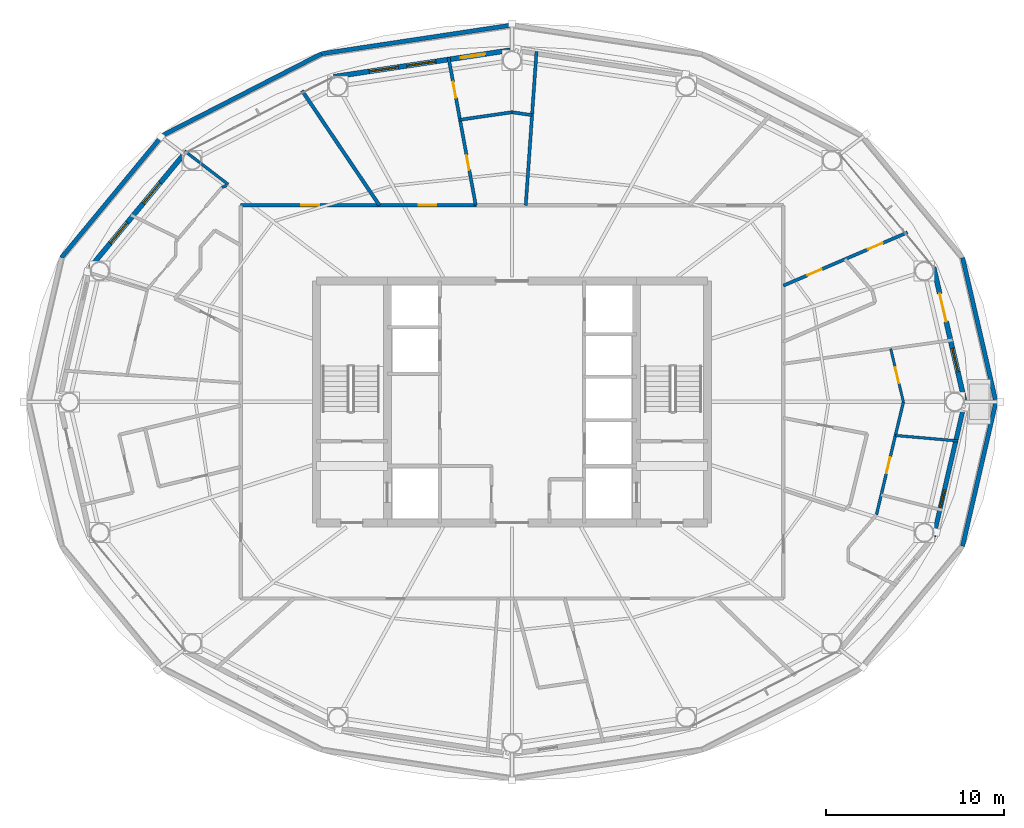
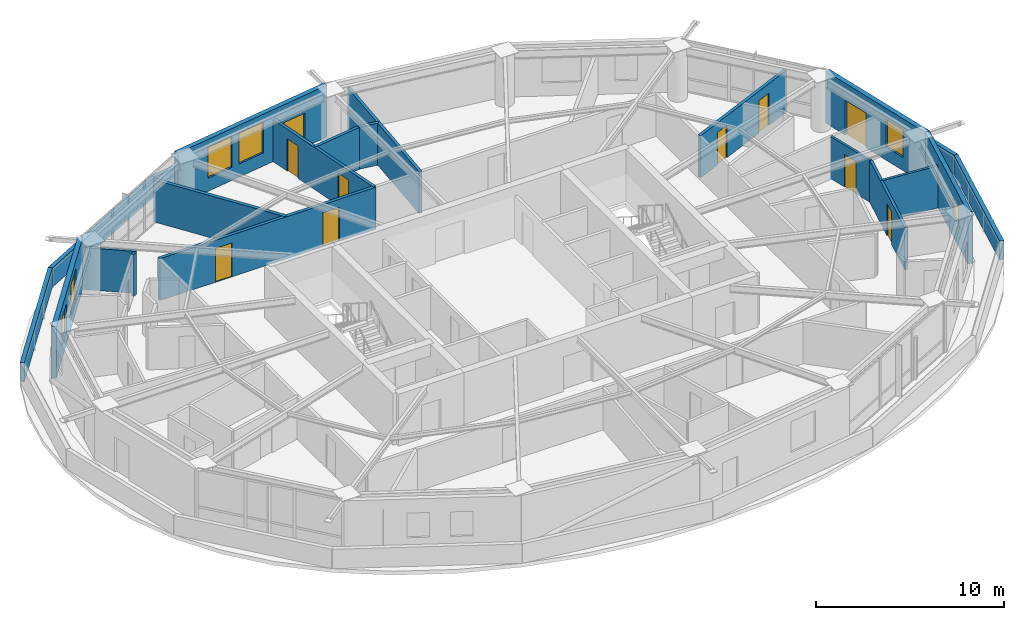
# One storey, part 18 of 22: 21 walls, 10 doors, 6 windows, 16 openings.
"""IFC4 building model written with IfcOpenShell, lengths in metres."""

from ifc_helpers import new_model, si_unit, direction, frame, frame_2d, origin, place, context, subcontext, project, spatial, rectangle, extrude, material, layer, layer_set, type_object, element, fill, save


model = new_model("IFC4")

# Units and contexts
model_context = context("Model", 3, precision=1e-05, world=origin(), true_north=direction((0.0, 1.0)))
body_context = subcontext(model_context, "Body", "Model", "MODEL_VIEW")
ifc_project = project(units=[si_unit("LENGTHUNIT", "METRE"), si_unit("AREAUNIT", "SQUARE_METRE"), si_unit("VOLUMEUNIT", "CUBIC_METRE"), si_unit("PLANEANGLEUNIT", "RADIAN"), si_unit("MASSUNIT", "GRAM", prefix="KILO")], contexts=[model_context])

# Site, building, storey
site_placement = place(None, origin())
site = spatial("IfcSite", under=ifc_project, at=site_placement, CompositionType="ELEMENT")
building_placement = place(site_placement, origin())
building = spatial("IfcBuilding", under=site, at=building_placement, Name="Sarneth Arch Tower", CompositionType="ELEMENT")
storey_placement = place(building_placement, frame((0.0, 0.0, 206.39990234375)))
storey = spatial("IfcBuildingStorey", under=building, at=storey_placement, Name="L52", CompositionType="ELEMENT", Elevation=206.39990234375)

# Wall, openings, doors
ifc_material_1 = material(Name="Double steel-stud corridor fire wall", Category="steel")
ifc_layer_1 = layer(ifc_material_1, 0.18994140625)
ifc_layer_set_1 = layer_set([ifc_layer_1], Name="Double steel-stud corridor fire wall")
wall_type_1 = type_object("IfcWallType", Name="WALL-CORR-190", PredefinedType="PARTITIONING", material=ifc_layer_set_1)
wall_1_placement = place(storey_placement, frame((32.75, 53.050048828125, 0.0), z_axis=(0.0, 0.0, 1.0), x_axis=(1.0, 0.0, 0.0)))
wall_1 = element("IfcWall", 1, at=wall_1_placement, inside=storey, type_object=wall_type_1, Name="L52 Interior partition W-L52-TP-010", PredefinedType="PARTITIONING", context=body_context, shape_type="SweptSolid", body=[
    extrude(rectangle(XDim=13.24658203125, YDim=0.18994140625, at=frame_2d((6.623291015625, 0.0))), origin(), (0.0, 0.0, 1.0), 2.72021484375),
])
opening_1_placement = place(wall_1_placement, frame((3.41748046875, 0.0, 0.0)))
opening_1 = element("IfcOpeningElement", 2, at=opening_1_placement, cuts=wall_1, Name="Opening FD-08", PredefinedType="OPENING", context=body_context, shape_type="SweptSolid", body=[
    extrude(rectangle(XDim=1.0, YDim=2.199951171875, at=frame_2d((0.5, 1.10009765625))), frame((0.0, 0.10498046875, 0.0), z_axis=(0.0, -1.0, 0.0), x_axis=(1.0, 0.0, 0.0)), (0.0, 0.0, 1.0), 0.2099609375),
])
opening_2_placement = place(wall_1_placement, frame((10.002197265625, 0.0, 0.0)))
opening_2 = element("IfcOpeningElement", 3, at=opening_2_placement, cuts=wall_1, Name="Opening FD-08", PredefinedType="OPENING", context=body_context, shape_type="SweptSolid", body=[
    extrude(rectangle(XDim=1.0, YDim=2.199951171875, at=frame_2d((0.5, 1.10009765625))), frame((0.0, 0.10498046875, 0.0), z_axis=(0.0, -1.0, 0.0), x_axis=(1.0, 0.0, 0.0)), (0.0, 0.0, 1.0), 0.2099609375),
])
ifc_material_2 = material(Name="Hardwood timber acoustic fire door", Category="wood")
door_type_1 = type_object("IfcDoorType", Name="DR-FD60-1000", OperationType="SINGLE_SWING_LEFT", PredefinedType="DOOR", material=ifc_material_2)
door_1_placement = place(opening_1_placement, origin())
door_1 = element("IfcDoor", 4, at=door_1_placement, inside=storey, type_object=door_type_1, Name="L52 Interior door DR-L52-U4-ENT", OperationType="SINGLE_SWING_RIGHT", OverallHeight=2.199951171875, OverallWidth=1.0, PredefinedType="DOOR", context=body_context, shape_type="SweptSolid", body=[
    extrude(rectangle(XDim=1.0, YDim=2.199951171875, at=frame_2d((0.5, 1.10009765625))), frame((0.0, 0.02490234375, 0.0), z_axis=(0.0, -1.0, 0.0), x_axis=(1.0, 0.0, 0.0)), (0.0, 0.0, 1.0), 0.050048828125),
])
fill(opening_1, door_1)
door_2_placement = place(opening_2_placement, origin())
door_2 = element("IfcDoor", 5, at=door_2_placement, inside=storey, type_object=door_type_1, Name="L52 Interior door DR-L52-U3-ENT", OperationType="SINGLE_SWING_RIGHT", OverallHeight=2.199951171875, OverallWidth=1.0, PredefinedType="DOOR", context=body_context, shape_type="SweptSolid", body=[
    extrude(rectangle(XDim=1.0, YDim=2.199951171875, at=frame_2d((0.5, 1.10009765625))), frame((0.0, 0.02490234375, 0.0), z_axis=(0.0, -1.0, 0.0), x_axis=(1.0, 0.0, 0.0)), (0.0, 0.0, 1.0), 0.050048828125),
])
fill(opening_2, door_2)

# Wall, opening, window
ifc_material_3 = material(Name="Extruded terracotta rainscreen on Concrete C40/50 backing", Category="masonry")
ifc_layer_2 = layer(ifc_material_3, 0.25)
ifc_layer_set_2 = layer_set([ifc_layer_2], Name="Extruded terracotta rainscreen on Concrete C40/50 backing")
wall_type_2 = type_object("IfcWallType", Name="WALL-EXT-SPAND-250", PredefinedType="SOLIDWALL", material=ifc_layer_set_2)
wall_2_placement = place(storey_placement, frame((71.69384765625, 34.430419921875, 0.0), z_axis=(0.0, 0.0, 1.0), x_axis=(0.225635078214, 0.974211892495, 0.0)))
wall_2 = element("IfcWall", 6, at=wall_2_placement, inside=storey, type_object=wall_type_2, Name="L52 Terracotta perimeter wall 16", PredefinedType="SOLIDWALL", context=body_context, shape_type="SweptSolid", body=[
    extrude(rectangle(XDim=7.77001953125, YDim=0.25, at=frame_2d((3.885009765625, 0.0))), origin(), (0.0, 0.0, 1.0), 3.360107421875),
])
opening_3_placement = place(wall_2_placement, frame((1.6953125, 0.0, 1.419921875)))
opening_3 = element("IfcOpeningElement", 7, at=opening_3_placement, cuts=wall_2, Name="Opening W-14", PredefinedType="OPENING", context=body_context, shape_type="SweptSolid", body=[
    extrude(rectangle(XDim=1.0, YDim=1.050048828125, at=frame_2d((0.5, 0.52490234375))), frame((0.0, 0.135009765625, 0.0), z_axis=(0.0, -1.0, 0.0), x_axis=(1.0, 0.0, 0.0)), (0.0, 0.0, 1.0), 0.27001953125),
])
ifc_material_4 = material(Name="Thermally broken Aluminium 6063-T6 and low-e laminated IGU", Category="aluminium")
window_type_1 = type_object("IfcWindowType", Name="WIN-TWR-1000x1050", PartitioningType="SINGLE_PANEL", PredefinedType="WINDOW", material=ifc_material_4)
window_1_placement = place(opening_3_placement, origin())
window_1 = element("IfcWindow", 8, at=window_1_placement, inside=storey, type_object=window_type_1, Name="L52 Dwelling bedroom window 02", OverallHeight=1.050048828125, OverallWidth=1.0, PartitioningType="SINGLE_PANEL", PredefinedType="WINDOW", context=body_context, shape_type="SweptSolid", body=[
    extrude(rectangle(XDim=1.0, YDim=1.050048828125, at=frame_2d((0.5, 0.52490234375))), frame((0.0, 0.030029296875, 0.0), z_axis=(0.0, -1.0, 0.0), x_axis=(1.0, 0.0, 0.0)), (0.0, 0.0, 1.0), 0.06005859375),
])
fill(opening_3, window_1)

# Wall, openings, door, window
ifc_material_5 = material(Name="Extruded terracotta rainscreen on Concrete C40/50 backing", Category="masonry")
ifc_layer_3 = layer(ifc_material_5, 0.280029296875)
ifc_layer_set_3 = layer_set([ifc_layer_3], Name="Extruded terracotta rainscreen on Concrete C40/50 backing")
wall_type_3 = type_object("IfcWallType", Name="WALL-EXT-TERRA-280", PredefinedType="SOLIDWALL", material=ifc_layer_set_3)
wall_3_placement = place(storey_placement, frame((73.447021484375, 42.0, 0.0), z_axis=(0.0, 0.0, 1.0), x_axis=(-0.225635078214, 0.974211892495, 0.0)))
wall_3 = element("IfcWall", 9, at=wall_3_placement, inside=storey, type_object=wall_type_3, Name="L52 Terracotta perimeter wall 01", PredefinedType="SOLIDWALL", context=body_context, shape_type="SweptSolid", body=[
    extrude(rectangle(XDim=7.77001953125, YDim=0.280029296875, at=frame_2d((3.885009765625, 0.0))), origin(), (0.0, 0.0, 1.0), 3.360107421875),
])
opening_4_placement = place(wall_3_placement, frame((1.736083984375, 0.0, 0.85009765625)))
opening_4 = element("IfcOpeningElement", 10, at=opening_4_placement, cuts=wall_3, Name="Opening W-08", PredefinedType="OPENING", context=body_context, shape_type="SweptSolid", body=[
    extrude(rectangle(XDim=1.35009765625, YDim=1.800048828125, at=frame_2d((0.675048828125, 0.89990234375))), frame((0.0, 0.14990234375, 0.0), z_axis=(0.0, -1.0, 0.0), x_axis=(1.0, 0.0, 0.0)), (0.0, 0.0, 1.0), 0.300048828125),
])
opening_5_placement = place(wall_3_placement, frame((4.64208984375, 0.0, 0.0)))
opening_5 = element("IfcOpeningElement", 11, at=opening_5_placement, cuts=wall_3, Name="Opening BD-1", PredefinedType="OPENING", context=body_context, shape_type="SweptSolid", body=[
    extrude(rectangle(XDim=1.60009765625, YDim=2.25, at=frame_2d((0.800048828125, 1.125))), frame((0.0, 0.14990234375, 0.0), z_axis=(0.0, -1.0, 0.0), x_axis=(1.0, 0.0, 0.0)), (0.0, 0.0, 1.0), 0.300048828125),
])
ifc_material_6 = material(Name="Thermally broken Aluminium 6063-T6 and laminated safety glass", Category="aluminium")
door_type_2 = type_object("IfcDoorType", Name="DR-BALC-GLZ-1600", OperationType="DOUBLE_DOOR_SINGLE_SWING", PredefinedType="DOOR", material=ifc_material_6)
door_3_placement = place(opening_5_placement, origin())
door_3 = element("IfcDoor", 12, at=door_3_placement, inside=storey, type_object=door_type_2, Name="L52 Maintenance roof access door 01", OperationType="DOUBLE_DOOR_SINGLE_SWING", OverallHeight=2.25, OverallWidth=1.60009765625, PredefinedType="DOOR", context=body_context, shape_type="SweptSolid", body=[
    extrude(rectangle(XDim=1.60009765625, YDim=2.25, at=frame_2d((0.800048828125, 1.125))), frame((0.0, 0.02490234375, 0.0), z_axis=(0.0, -1.0, 0.0), x_axis=(1.0, 0.0, 0.0)), (0.0, 0.0, 1.0), 0.050048828125),
])
fill(opening_5, door_3)
ifc_material_7 = material(Name="Thermally broken Aluminium 6063-T6 and low-e laminated IGU", Category="aluminium")
window_type_2 = type_object("IfcWindowType", Name="WIN-TWR-1350x1800", PartitioningType="SINGLE_PANEL", PredefinedType="WINDOW", material=ifc_material_7)
window_2_placement = place(opening_4_placement, origin())
window_2 = element("IfcWindow", 13, at=window_2_placement, inside=storey, type_object=window_type_2, Name="L52 Exterior window 01A", OverallHeight=1.800048828125, OverallWidth=1.35009765625, PartitioningType="SINGLE_PANEL", PredefinedType="WINDOW", context=body_context, shape_type="SweptSolid", body=[
    extrude(rectangle(XDim=1.35009765625, YDim=1.800048828125, at=frame_2d((0.675048828125, 0.89990234375))), frame((0.0, 0.030029296875, 0.0), z_axis=(0.0, -1.0, 0.0), x_axis=(1.0, 0.0, 0.0)), (0.0, 0.0, 1.0), 0.06005859375),
])
fill(opening_4, window_2)

# Wall, openings, door, windows
wall_4_placement = place(storey_placement, frame((48.0, 61.780029296875, 0.0), z_axis=(0.0, 0.0, 1.0), x_axis=(-0.988882522213, -0.148698881169, 0.0)))
wall_4 = element("IfcWall", 14, at=wall_4_placement, inside=storey, type_object=wall_type_3, Name="L52 Terracotta perimeter wall 05", PredefinedType="SOLIDWALL", context=body_context, shape_type="SweptSolid", body=[
    extrude(rectangle(XDim=10.125244140625, YDim=0.280029296875, at=frame_2d((5.0625, 0.0))), origin(), (0.0, 0.0, 1.0), 3.360107421875),
])
opening_6_placement = place(wall_4_placement, frame((1.51611328125, 0.0, 0.0)))
opening_6 = element("IfcOpeningElement", 15, at=opening_6_placement, cuts=wall_4, Name="Opening BD-2", PredefinedType="OPENING", context=body_context, shape_type="SweptSolid", body=[
    extrude(rectangle(XDim=1.39990234375, YDim=2.199951171875, at=frame_2d((0.699951171875, 1.10009765625))), frame((0.0, 0.14990234375, 0.0), z_axis=(0.0, -1.0, 0.0), x_axis=(1.0, 0.0, 0.0)), (0.0, 0.0, 1.0), 0.300048828125),
])
opening_7_placement = place(wall_4_placement, frame((4.322021484375, 0.0, 0.85009765625)))
opening_7 = element("IfcOpeningElement", 16, at=opening_7_placement, cuts=wall_4, Name="Opening W-05", PredefinedType="OPENING", context=body_context, shape_type="SweptSolid", body=[
    extrude(rectangle(XDim=1.64990234375, YDim=2.0, at=frame_2d((0.824951171875, 1.0))), frame((0.0, 0.14990234375, 0.0), z_axis=(0.0, -1.0, 0.0), x_axis=(1.0, 0.0, 0.0)), (0.0, 0.0, 1.0), 0.300048828125),
])
opening_8_placement = place(wall_4_placement, frame((6.453857421875, 0.0, 0.85009765625)))
opening_8 = element("IfcOpeningElement", 17, at=opening_8_placement, cuts=wall_4, Name="Opening W-05", PredefinedType="OPENING", context=body_context, shape_type="SweptSolid", body=[
    extrude(rectangle(XDim=1.64990234375, YDim=2.0, at=frame_2d((0.824951171875, 1.0))), frame((0.0, 0.14990234375, 0.0), z_axis=(0.0, -1.0, 0.0), x_axis=(1.0, 0.0, 0.0)), (0.0, 0.0, 1.0), 0.300048828125),
])
ifc_material_8 = material(Name="Thermally broken Aluminium 6063-T6 and laminated safety glass", Category="aluminium")
door_type_3 = type_object("IfcDoorType", Name="DR-BALC-GLZ-1400", OperationType="SINGLE_SWING_LEFT", PredefinedType="DOOR", material=ifc_material_8)
door_4_placement = place(opening_6_placement, origin())
door_4 = element("IfcDoor", 18, at=door_4_placement, inside=storey, type_object=door_type_3, Name="L52 Maintenance roof access door 05", OperationType="SINGLE_SWING_LEFT", OverallHeight=2.199951171875, OverallWidth=1.39990234375, PredefinedType="DOOR", context=body_context, shape_type="SweptSolid", body=[
    extrude(rectangle(XDim=1.39990234375, YDim=2.199951171875, at=frame_2d((0.699951171875, 1.10009765625))), frame((0.0, 0.02490234375, 0.0), z_axis=(0.0, -1.0, 0.0), x_axis=(1.0, 0.0, 0.0)), (0.0, 0.0, 1.0), 0.050048828125),
])
fill(opening_6, door_4)
ifc_material_9 = material(Name="Thermally broken Aluminium 6063-T6 and low-e laminated IGU", Category="aluminium")
window_type_3 = type_object("IfcWindowType", Name="WIN-TWR-1650x2000", PartitioningType="DOUBLE_PANEL_VERTICAL", PredefinedType="WINDOW", material=ifc_material_9)
window_3_placement = place(opening_7_placement, origin())
window_3 = element("IfcWindow", 19, at=window_3_placement, inside=storey, type_object=window_type_3, Name="L52 Exterior window 05A", OverallHeight=2.0, OverallWidth=1.64990234375, PartitioningType="SINGLE_PANEL", PredefinedType="WINDOW", context=body_context, shape_type="SweptSolid", body=[
    extrude(rectangle(XDim=1.64990234375, YDim=2.0, at=frame_2d((0.824951171875, 1.0))), frame((0.0, 0.030029296875, 0.0), z_axis=(0.0, -1.0, 0.0), x_axis=(1.0, 0.0, 0.0)), (0.0, 0.0, 1.0), 0.06005859375),
])
fill(opening_7, window_3)
window_4_placement = place(opening_8_placement, origin())
window_4 = element("IfcWindow", 20, at=window_4_placement, inside=storey, type_object=window_type_3, Name="L52 Exterior window 05B", OverallHeight=2.0, OverallWidth=1.64990234375, PartitioningType="SINGLE_PANEL", PredefinedType="WINDOW", context=body_context, shape_type="SweptSolid", body=[
    extrude(rectangle(XDim=1.64990234375, YDim=2.0, at=frame_2d((0.824951171875, 1.0))), frame((0.0, 0.030029296875, 0.0), z_axis=(0.0, -1.0, 0.0), x_axis=(1.0, 0.0, 0.0)), (0.0, 0.0, 1.0), 0.06005859375),
])
fill(opening_8, window_4)

# Wall, openings, windows
wall_5_placement = place(storey_placement, frame((29.617431640625, 55.986572265625, 0.0), z_axis=(0.0, 0.0, 1.0), x_axis=(-0.63761509934, -0.770355103243, 0.0)))
wall_5 = element("IfcWall", 21, at=wall_5_placement, inside=storey, type_object=wall_type_3, Name="L52 Terracotta perimeter wall 07", PredefinedType="SOLIDWALL", context=body_context, shape_type="SweptSolid", body=[
    extrude(rectangle(XDim=8.329833984375, YDim=0.280029296875, at=frame_2d((4.1650390625, 0.0))), origin(), (0.0, 0.0, 1.0), 3.360107421875),
])
opening_9_placement = place(wall_5_placement, frame((2.16162109375, 0.0, 0.85009765625)))
opening_9 = element("IfcOpeningElement", 22, at=opening_9_placement, cuts=wall_5, Name="Opening W-06", PredefinedType="OPENING", context=body_context, shape_type="SweptSolid", body=[
    extrude(rectangle(XDim=1.5, YDim=2.0, at=frame_2d((0.75, 1.0))), frame((0.0, 0.14990234375, 0.0), z_axis=(0.0, -1.0, 0.0), x_axis=(1.0, 0.0, 0.0)), (0.0, 0.0, 1.0), 0.300048828125),
])
opening_10_placement = place(wall_5_placement, frame((5.06640625, 0.0, 0.85009765625)))
opening_10 = element("IfcOpeningElement", 23, at=opening_10_placement, cuts=wall_5, Name="Opening W-07", PredefinedType="OPENING", context=body_context, shape_type="SweptSolid", body=[
    extrude(rectangle(XDim=1.5, YDim=1.800048828125, at=frame_2d((0.75, 0.89990234375))), frame((0.0, 0.14990234375, 0.0), z_axis=(0.0, -1.0, 0.0), x_axis=(1.0, 0.0, 0.0)), (0.0, 0.0, 1.0), 0.300048828125),
])
ifc_material_10 = material(Name="Thermally broken Aluminium 6063-T6 and low-e laminated IGU", Category="aluminium")
window_type_4 = type_object("IfcWindowType", Name="WIN-TWR-1500x1800", PartitioningType="SINGLE_PANEL", PredefinedType="WINDOW", material=ifc_material_10)
window_5_placement = place(opening_10_placement, origin())
window_5 = element("IfcWindow", 24, at=window_5_placement, inside=storey, type_object=window_type_4, Name="L52 Exterior window 07B", OverallHeight=1.800048828125, OverallWidth=1.5, PartitioningType="SINGLE_PANEL", PredefinedType="WINDOW", context=body_context, shape_type="SweptSolid", body=[
    extrude(rectangle(XDim=1.5, YDim=1.800048828125, at=frame_2d((0.75, 0.89990234375))), frame((0.0, 0.030029296875, 0.0), z_axis=(0.0, -1.0, 0.0), x_axis=(1.0, 0.0, 0.0)), (0.0, 0.0, 1.0), 0.06005859375),
])
fill(opening_10, window_5)
ifc_material_11 = material(Name="Thermally broken Aluminium 6063-T6 and low-e laminated IGU", Category="aluminium")
window_type_5 = type_object("IfcWindowType", Name="WIN-TWR-1500x2000", PartitioningType="SINGLE_PANEL", PredefinedType="WINDOW", material=ifc_material_11)
window_6_placement = place(opening_9_placement, origin())
window_6 = element("IfcWindow", 25, at=window_6_placement, inside=storey, type_object=window_type_5, Name="L52 Exterior window 07A", OverallHeight=2.0, OverallWidth=1.5, PartitioningType="SINGLE_PANEL", PredefinedType="WINDOW", context=body_context, shape_type="SweptSolid", body=[
    extrude(rectangle(XDim=1.5, YDim=2.0, at=frame_2d((0.75, 1.0))), frame((0.0, 0.030029296875, 0.0), z_axis=(0.0, -1.0, 0.0), x_axis=(1.0, 0.0, 0.0)), (0.0, 0.0, 1.0), 0.06005859375),
])
fill(opening_9, window_6)

# Walls
ifc_material_12 = material(Name="Extruded terracotta rainscreen on Concrete C40/50 backing", Category="masonry")
ifc_layer_4 = layer(ifc_material_12, 0.239990234375)
ifc_layer_set_4 = layer_set([ifc_layer_4], Name="Extruded terracotta rainscreen on Concrete C40/50 backing")
wall_type_4 = type_object("IfcWallType", Name="WALL-PARAPET-240", PredefinedType="PARAPET", material=ifc_layer_set_4)
wall_6_placement = place(storey_placement, frame((75.196533203125, 42.0, 0.0), z_axis=(0.0, 0.0, 1.0), x_axis=(-0.225241005172, 0.974303078918, 0.0)))
element("IfcWall", 26, at=wall_6_placement, inside=storey, type_object=wall_type_4, Name="L52 Setback roof parapet 01", PredefinedType="PARAPET", context=body_context, shape_type="SweptSolid", body=[
    extrude(rectangle(XDim=8.319091796875, YDim=0.239990234375, at=frame_2d((4.15966796875, 0.0))), origin(), (0.0, 0.0, 1.0), 1.25),
])
wall_7_placement = place(storey_placement, frame((48.0, 63.179931640625, 0.0), z_axis=(0.0, 0.0, 1.0), x_axis=(-0.988842828913, -0.148962611775, 0.0)))
element("IfcWall", 27, at=wall_7_placement, inside=storey, type_object=wall_type_4, Name="L52 Setback roof parapet 05", PredefinedType="PARAPET", context=body_context, shape_type="SweptSolid", body=[
    extrude(rectangle(XDim=10.822021484375, YDim=0.239990234375, at=frame_2d((5.4111328125, 0.0))), origin(), (0.0, 0.0, 1.0), 1.25),
])
wall_8_placement = place(storey_placement, frame((37.298828125, 61.56787109375, 0.0), z_axis=(0.0, 0.0, 1.0), x_axis=(-0.889652072391, -0.456639015077, 0.0)))
element("IfcWall", 28, at=wall_8_placement, inside=storey, type_object=wall_type_4, Name="L52 Setback roof parapet 06", PredefinedType="PARAPET", context=body_context, shape_type="SweptSolid", body=[
    extrude(rectangle(XDim=10.0546875, YDim=0.239990234375, at=frame_2d((5.02734375, 0.0))), origin(), (0.0, 0.0, 1.0), 1.25),
])
wall_9_placement = place(storey_placement, frame((28.353759765625, 56.9765625, 0.0), z_axis=(0.0, 0.0, 1.0), x_axis=(-0.636894188862, -0.770951225561, 0.0)))
element("IfcWall", 29, at=wall_9_placement, inside=storey, type_object=wall_type_4, Name="L52 Setback roof parapet 07", PredefinedType="PARAPET", context=body_context, shape_type="SweptSolid", body=[
    extrude(rectangle(XDim=8.912841796875, YDim=0.239990234375, at=frame_2d((4.45654296875, 0.0))), origin(), (0.0, 0.0, 1.0), 1.25),
])
wall_10_placement = place(storey_placement, frame((73.32275390625, 33.894775390625, 0.0), z_axis=(0.0, 0.0, 1.0), x_axis=(0.225241005172, 0.974303078918, 0.0)))
element("IfcWall", 30, at=wall_10_placement, inside=storey, type_object=wall_type_4, Name="L52 Setback roof parapet 16", PredefinedType="PARAPET", context=body_context, shape_type="SweptSolid", body=[
    extrude(rectangle(XDim=8.319091796875, YDim=0.239990234375, at=frame_2d((4.15966796875, 0.0))), origin(), (0.0, 0.0, 1.0), 1.25),
])

# Wall, opening, door
ifc_material_13 = material(Name="Apartment internal stud partition", Category="gypsum")
ifc_layer_5 = layer(ifc_material_13, 0.139892578125)
ifc_layer_set_5 = layer_set([ifc_layer_5], Name="Apartment internal stud partition")
wall_type_5 = type_object("IfcWallType", Name="WALL-PART-140", PredefinedType="PARTITIONING", material=ifc_layer_set_5)
wall_11_placement = place(storey_placement, frame((69.996337890625, 42.0, 0.0), z_axis=(0.0, 0.0, 1.0), x_axis=(-0.23230382896, 0.972643270192, 0.0)))
wall_11 = element("IfcWall", 31, at=wall_11_placement, inside=storey, type_object=wall_type_5, Name="L52 Interior partition W-L52-TP-078", PredefinedType="PARTITIONING", context=body_context, shape_type="SweptSolid", body=[
    extrude(rectangle(XDim=3.0751953125, YDim=0.139892578125, at=frame_2d((1.53759765625, 0.0))), origin(), (0.0, 0.0, 1.0), 2.72021484375),
])
opening_11_placement = place(wall_11_placement, frame((1.087646484375, 0.0, 0.0)))
opening_11 = element("IfcOpeningElement", 32, at=opening_11_placement, cuts=wall_11, Name="Opening ID-01", PredefinedType="OPENING", context=body_context, shape_type="SweptSolid", body=[
    extrude(rectangle(XDim=0.89990234375, YDim=2.10009765625, at=frame_2d((0.449951171875, 1.050048828125))), frame((0.0, 0.079833984375, 0.0), z_axis=(0.0, -1.0, 0.0), x_axis=(1.0, 0.0, 0.0)), (0.0, 0.0, 1.0), 0.159912109375),
])
ifc_material_14 = material(Name="Engineered hardwood flush door", Category="wood")
door_type_4 = type_object("IfcDoorType", Name="DR-INT-900", OperationType="SINGLE_SWING_LEFT", PredefinedType="DOOR", material=ifc_material_14)
door_5_placement = place(opening_11_placement, origin())
door_5 = element("IfcDoor", 33, at=door_5_placement, inside=storey, type_object=door_type_4, Name="L52 Interior door DR-L52-U8-BED2", OperationType="SINGLE_SWING_LEFT", OverallHeight=2.10009765625, OverallWidth=0.89990234375, PredefinedType="DOOR", context=body_context, shape_type="SweptSolid", body=[
    extrude(rectangle(XDim=0.89990234375, YDim=2.10009765625, at=frame_2d((0.449951171875, 1.050048828125))), frame((0.0, 0.02490234375, 0.0), z_axis=(0.0, -1.0, 0.0), x_axis=(1.0, 0.0, 0.0)), (0.0, 0.0, 1.0), 0.050048828125),
])
fill(opening_11, door_5)

# Wall
ifc_material_15 = material(Name="Acoustic gypsum stud partition", Category="gypsum")
ifc_layer_6 = layer(ifc_material_15, 0.14990234375)
ifc_layer_set_6 = layer_set([ifc_layer_6], Name="Acoustic gypsum stud partition")
wall_type_6 = type_object("IfcWallType", Name="WALL-PART-150", PredefinedType="PARTITIONING", material=ifc_layer_set_6)
wall_12_placement = place(storey_placement, frame((73.06103515625, 39.807373046875, 0.0), z_axis=(0.0, 0.0, 1.0), x_axis=(-0.996192140099, 0.087184975795, 0.0)))
element("IfcWall", 34, at=wall_12_placement, inside=storey, type_object=wall_type_6, Name="L52 Interior partition W-L52-TP-080", PredefinedType="PARTITIONING", context=body_context, shape_type="SweptSolid", body=[
    extrude(rectangle(XDim=3.5283203125, YDim=0.14990234375, at=frame_2d((1.76416015625, 0.0))), origin(), (0.0, 0.0, 1.0), 2.72021484375),
])

# Wall, opening, door
ifc_material_16 = material(Name="Kitchen wet service chase wall", Category="gypsum")
ifc_layer_7 = layer(ifc_material_16, 0.159912109375)
ifc_layer_set_7 = layer_set([ifc_layer_7], Name="Kitchen wet service chase wall")
wall_type_7 = type_object("IfcWallType", Name="WALL-PLUMB-160", PredefinedType="PLUMBINGWALL", material=ifc_layer_set_7)
wall_13_placement = place(storey_placement, frame((69.996337890625, 42.0, 0.0), z_axis=(0.0, 0.0, 1.0), x_axis=(-0.232298462197, -0.972644551962, 0.0)))
wall_13 = element("IfcWall", 35, at=wall_13_placement, inside=storey, type_object=wall_type_7, Name="L52 Interior partition W-L52-TP-076", PredefinedType="PLUMBINGWALL", context=body_context, shape_type="SweptSolid", body=[
    extrude(rectangle(XDim=6.5234375, YDim=0.159912109375, at=frame_2d((3.26171875, 0.0))), origin(), (0.0, 0.0, 1.0), 2.72021484375),
])
opening_12_placement = place(wall_13_placement, frame((3.20361328125, 0.0, 0.0)))
opening_12 = element("IfcOpeningElement", 36, at=opening_12_placement, cuts=wall_13, Name="Opening ID-01", PredefinedType="OPENING", context=body_context, shape_type="SweptSolid", body=[
    extrude(rectangle(XDim=0.89990234375, YDim=2.10009765625, at=frame_2d((0.449951171875, 1.050048828125))), frame((0.0, 0.08984375, 0.0), z_axis=(0.0, -1.0, 0.0), x_axis=(1.0, 0.0, 0.0)), (0.0, 0.0, 1.0), 0.179931640625),
])
door_6_placement = place(opening_12_placement, origin())
door_6 = element("IfcDoor", 37, at=door_6_placement, inside=storey, type_object=door_type_4, Name="L52 Interior door DR-L52-U8-BED1", OperationType="SINGLE_SWING_RIGHT", OverallHeight=2.10009765625, OverallWidth=0.89990234375, PredefinedType="DOOR", context=body_context, shape_type="SweptSolid", body=[
    extrude(rectangle(XDim=0.89990234375, YDim=2.10009765625, at=frame_2d((0.449951171875, 1.050048828125))), frame((0.0, 0.02490234375, 0.0), z_axis=(0.0, -1.0, 0.0), x_axis=(1.0, 0.0, 0.0)), (0.0, 0.0, 1.0), 0.050048828125),
])
fill(opening_12, door_6)

# Walls
wall_14_placement = place(storey_placement, frame((29.6025390625, 56.1005859375, 0.0), z_axis=(0.0, 0.0, 1.0), x_axis=(0.793701828105, -0.608307001491, 0.0)))
element("IfcWall", 38, at=wall_14_placement, inside=storey, type_object=wall_type_7, Name="L52 Interior partition W-L52-TP-039", PredefinedType="PLUMBINGWALL", context=body_context, shape_type="SweptSolid", body=[
    extrude(rectangle(XDim=3.086669921875, YDim=0.159912109375, at=frame_2d((1.54345703125, 0.0))), origin(), (0.0, 0.0, 1.0), 2.72021484375),
])
wall_15_placement = place(storey_placement, frame((31.9521484375, 54.1728515625, 0.0), z_axis=(0.0, 0.0, 1.0), x_axis=(-0.895316278345, -0.445430984251, 0.0)))
element("IfcWall", 39, at=wall_15_placement, inside=storey, type_object=wall_type_7, Name="L52 Interior partition W-L52-TP-040", PredefinedType="PLUMBINGWALL", context=body_context, shape_type="SweptSolid", body=[
    extrude(rectangle(XDim=0.274169921875, YDim=0.159912109375, at=frame_2d((0.13720703125, 0.0))), origin(), (0.0, 0.0, 1.0), 2.72021484375),
])
ifc_material_17 = material(Name="Moisture-resistant plumbing chase wall", Category="gypsum")
ifc_layer_8 = layer(ifc_material_17, 0.179931640625)
ifc_layer_set_8 = layer_set([ifc_layer_8], Name="Moisture-resistant plumbing chase wall")
wall_type_8 = type_object("IfcWallType", Name="WALL-PLUMB-180", PredefinedType="PLUMBINGWALL", material=ifc_layer_set_8)
wall_16_placement = place(storey_placement, frame((48.772705078125, 53.050048828125, 0.0), z_axis=(0.0, 0.0, 1.0), x_axis=(0.069763237321, 0.997563577281, 0.0)))
element("IfcWall", 40, at=wall_16_placement, inside=storey, type_object=wall_type_8, Name="L52 Interior partition W-L52-TP-032", PredefinedType="PLUMBINGWALL", context=body_context, shape_type="SweptSolid", body=[
    extrude(rectangle(XDim=8.664794921875, YDim=0.179931640625, at=frame_2d((4.33251953125, 0.0))), origin(), (0.0, 0.0, 1.0), 2.72021484375),
])

# Wall, openings, doors
wall_17_placement = place(storey_placement, frame((45.964111328125, 53.050048828125, 0.0), z_axis=(0.0, 0.0, 1.0), x_axis=(-0.181227840828, 0.983441136881, 0.0)))
wall_17 = element("IfcWall", 41, at=wall_17_placement, inside=storey, type_object=wall_type_8, Name="L52 Interior partition W-L52-TP-034", PredefinedType="PLUMBINGWALL", context=body_context, shape_type="SweptSolid", body=[
    extrude(rectangle(XDim=8.45458984375, YDim=0.179931640625, at=frame_2d((4.227294921875, 0.0))), origin(), (0.0, 0.0, 1.0), 2.72021484375),
])
opening_13_placement = place(wall_17_placement, frame((2.01904296875, 0.0, 0.0)))
opening_13 = element("IfcOpeningElement", 42, at=opening_13_placement, cuts=wall_17, Name="Opening ID-02", PredefinedType="OPENING", context=body_context, shape_type="SweptSolid", body=[
    extrude(rectangle(XDim=0.85009765625, YDim=2.10009765625, at=frame_2d((0.425048828125, 1.050048828125))), frame((0.0, 0.099853515625, 0.0), z_axis=(0.0, -1.0, 0.0), x_axis=(1.0, 0.0, 0.0)), (0.0, 0.0, 1.0), 0.199951171875),
])
opening_14_placement = place(wall_17_placement, frame((6.145263671875, 0.0, 0.0)))
opening_14 = element("IfcOpeningElement", 43, at=opening_14_placement, cuts=wall_17, Name="Opening ID-01", PredefinedType="OPENING", context=body_context, shape_type="SweptSolid", body=[
    extrude(rectangle(XDim=0.89990234375, YDim=2.10009765625, at=frame_2d((0.449951171875, 1.050048828125))), frame((0.0, 0.099853515625, 0.0), z_axis=(0.0, -1.0, 0.0), x_axis=(1.0, 0.0, 0.0)), (0.0, 0.0, 1.0), 0.199951171875),
])
ifc_material_18 = material(Name="Moisture-resistant bathroom timber door", Category="wood")
door_type_5 = type_object("IfcDoorType", Name="DR-INT-850", OperationType="SINGLE_SWING_RIGHT", PredefinedType="DOOR", material=ifc_material_18)
door_7_placement = place(opening_13_placement, origin())
door_7 = element("IfcDoor", 44, at=door_7_placement, inside=storey, type_object=door_type_5, Name="L52 Interior door DR-L52-U3-BATH", OperationType="SINGLE_SWING_RIGHT", OverallHeight=2.10009765625, OverallWidth=0.85009765625, PredefinedType="DOOR", context=body_context, shape_type="SweptSolid", body=[
    extrude(rectangle(XDim=0.85009765625, YDim=2.10009765625, at=frame_2d((0.425048828125, 1.050048828125))), frame((0.0, 0.02490234375, 0.0), z_axis=(0.0, -1.0, 0.0), x_axis=(1.0, 0.0, 0.0)), (0.0, 0.0, 1.0), 0.050048828125),
])
fill(opening_13, door_7)
door_8_placement = place(opening_14_placement, origin())
door_8 = element("IfcDoor", 45, at=door_8_placement, inside=storey, type_object=door_type_4, Name="L52 Interior door DR-L52-U3-KIT", OperationType="SINGLE_SWING_LEFT", OverallHeight=2.10009765625, OverallWidth=0.89990234375, PredefinedType="DOOR", context=body_context, shape_type="SweptSolid", body=[
    extrude(rectangle(XDim=0.89990234375, YDim=2.10009765625, at=frame_2d((0.449951171875, 1.050048828125))), frame((0.0, 0.02490234375, 0.0), z_axis=(0.0, -1.0, 0.0), x_axis=(1.0, 0.0, 0.0)), (0.0, 0.0, 1.0), 0.050048828125),
])
fill(opening_14, door_8)

wall_18_placement = place(storey_placement, frame((63.25, 48.5361328125, 0.0), z_axis=(0.0, 0.0, 1.0), x_axis=(0.919133380172, 0.393946480443, 0.0)))
wall_18 = element("IfcWall", 46, at=wall_18_placement, inside=storey, type_object=wall_type_8, Name="L52 Interior partition W-L52-TP-025", PredefinedType="PLUMBINGWALL", context=body_context, shape_type="SweptSolid", body=[
    extrude(rectangle(XDim=7.587890625, YDim=0.179931640625, at=frame_2d((3.7939453125, 0.0))), origin(), (0.0, 0.0, 1.0), 2.72021484375),
])
opening_15_placement = place(wall_18_placement, frame((5.168701171875, 0.0, 0.0)))
opening_15 = element("IfcOpeningElement", 47, at=opening_15_placement, cuts=wall_18, Name="Opening ID-01", PredefinedType="OPENING", context=body_context, shape_type="SweptSolid", body=[
    extrude(rectangle(XDim=0.89990234375, YDim=2.10009765625, at=frame_2d((0.449951171875, 1.050048828125))), frame((0.0, 0.099853515625, 0.0), z_axis=(0.0, -1.0, 0.0), x_axis=(1.0, 0.0, 0.0)), (0.0, 0.0, 1.0), 0.199951171875),
])
opening_16_placement = place(wall_18_placement, frame((1.476806640625, 0.0, 0.0)))
opening_16 = element("IfcOpeningElement", 48, at=opening_16_placement, cuts=wall_18, Name="Opening ID-02", PredefinedType="OPENING", context=body_context, shape_type="SweptSolid", body=[
    extrude(rectangle(XDim=0.85009765625, YDim=2.10009765625, at=frame_2d((0.425048828125, 1.050048828125))), frame((0.0, 0.099853515625, 0.0), z_axis=(0.0, -1.0, 0.0), x_axis=(1.0, 0.0, 0.0)), (0.0, 0.0, 1.0), 0.199951171875),
])
door_9_placement = place(opening_16_placement, origin())
door_9 = element("IfcDoor", 49, at=door_9_placement, inside=storey, type_object=door_type_5, Name="L52 Interior door DR-L52-U1-BATH", OperationType="SINGLE_SWING_RIGHT", OverallHeight=2.10009765625, OverallWidth=0.85009765625, PredefinedType="DOOR", context=body_context, shape_type="SweptSolid", body=[
    extrude(rectangle(XDim=0.85009765625, YDim=2.10009765625, at=frame_2d((0.425048828125, 1.050048828125))), frame((0.0, 0.02490234375, 0.0), z_axis=(0.0, -1.0, 0.0), x_axis=(1.0, 0.0, 0.0)), (0.0, 0.0, 1.0), 0.050048828125),
])
fill(opening_16, door_9)
door_10_placement = place(opening_15_placement, origin())
door_10 = element("IfcDoor", 50, at=door_10_placement, inside=storey, type_object=door_type_4, Name="L52 Interior door DR-L52-U1-KIT", OperationType="SINGLE_SWING_LEFT", OverallHeight=2.10009765625, OverallWidth=0.89990234375, PredefinedType="DOOR", context=body_context, shape_type="SweptSolid", body=[
    extrude(rectangle(XDim=0.89990234375, YDim=2.10009765625, at=frame_2d((0.449951171875, 1.050048828125))), frame((0.0, 0.02490234375, 0.0), z_axis=(0.0, -1.0, 0.0), x_axis=(1.0, 0.0, 0.0)), (0.0, 0.0, 1.0), 0.050048828125),
])
fill(opening_15, door_10)

# Walls
wall_19_placement = place(storey_placement, frame((45.078125, 57.85693359375, 0.0), z_axis=(0.0, 0.0, 1.0), x_axis=(0.989678113628, 0.143308169361, 0.0)))
element("IfcWall", 51, at=wall_19_placement, inside=storey, type_object=wall_type_8, Name="L52 Interior partition W-L52-TP-037", PredefinedType="PLUMBINGWALL", context=body_context, shape_type="SweptSolid", body=[
    extrude(rectangle(XDim=2.952392578125, YDim=0.179931640625, at=frame_2d((1.47607421875, 0.0))), origin(), (0.0, 0.0, 1.0), 2.72021484375),
])
wall_20_placement = place(storey_placement, frame((48.0, 58.280029296875, 0.0), z_axis=(0.0, 0.0, 1.0), x_axis=(0.989660157939, -0.143432115611, 0.0)))
element("IfcWall", 52, at=wall_20_placement, inside=storey, type_object=wall_type_8, Name="L52 Interior partition W-L52-TP-038", PredefinedType="PLUMBINGWALL", context=body_context, shape_type="SweptSolid", body=[
    extrude(rectangle(XDim=1.138671875, YDim=0.179931640625, at=frame_2d((0.5693359375, 0.0))), origin(), (0.0, 0.0, 1.0), 2.72021484375),
])
ifc_material_19 = material(Name="Double steel-stud acoustic drywall", Category="steel")
ifc_layer_9 = layer(ifc_material_19, 0.199951171875)
ifc_layer_set_9 = layer_set([ifc_layer_9], Name="Double steel-stud acoustic drywall")
wall_type_9 = type_object("IfcWallType", Name="WALL-UNIT-200", PredefinedType="PARTITIONING", material=ifc_layer_set_9)
wall_21_placement = place(storey_placement, frame((40.546630859375, 53.050048828125, 0.0), z_axis=(0.0, 0.0, 1.0), x_axis=(-0.559208454265, 0.8290270832, 0.0)))
element("IfcWall", 53, at=wall_21_placement, inside=storey, type_object=wall_type_9, Name="L52 Interior partition W-L52-TP-036", PredefinedType="PARTITIONING", context=body_context, shape_type="SweptSolid", body=[
    extrude(rectangle(XDim=7.771484375, YDim=0.199951171875, at=frame_2d((3.8857421875, 0.0))), origin(), (0.0, 0.0, 1.0), 2.72021484375),
])

save(model, "model.ifc")
